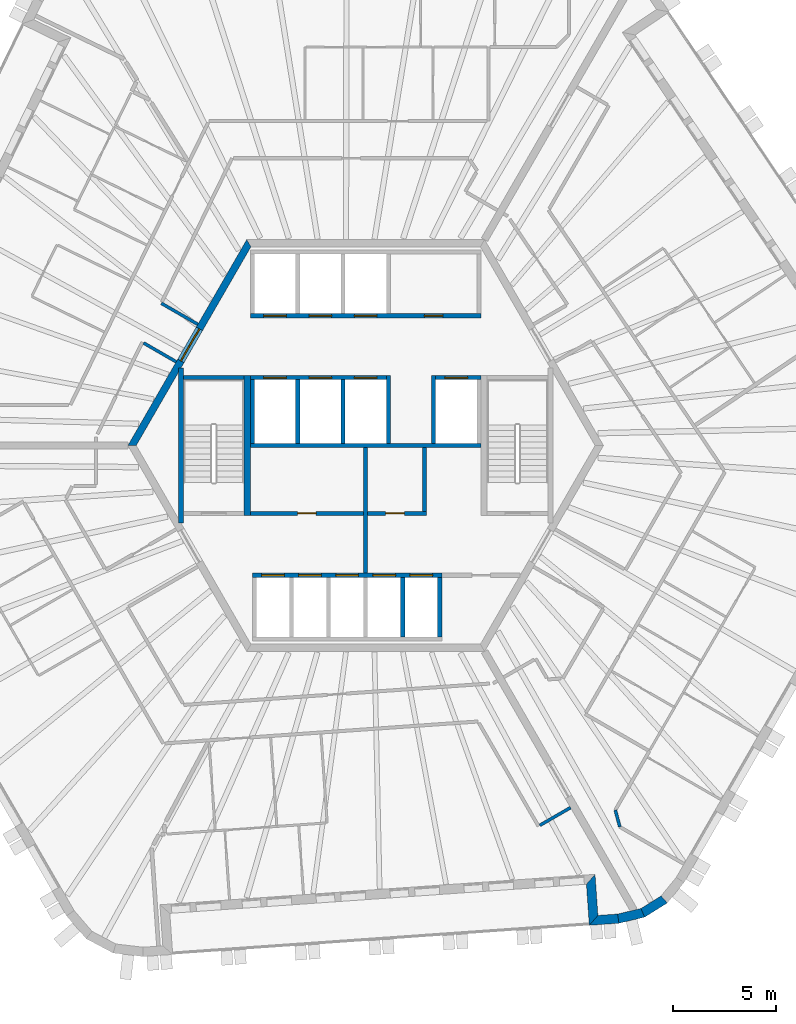
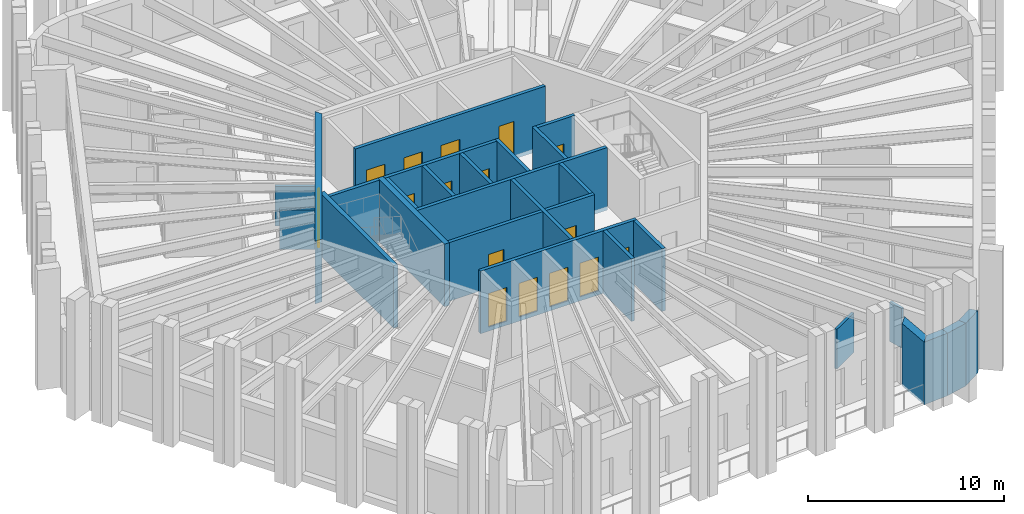
# One storey, part 5 of 12: 28 walls, 16 doors, 16 openings.
"""IFC4 building model written with IfcOpenShell, lengths in metres."""

from ifc_helpers import new_model, si_unit, direction, frame, frame_2d, origin, place, context, subcontext, project, spatial, polyline, rectangle, outline, extrude, material, layer, layer_set, type_object, element, fill, save


model = new_model("IFC4")

# Units and contexts
model_context = context("Model", 3, precision=1e-05, world=origin(), true_north=direction((0.0, 1.0)))
body_context = subcontext(model_context, "Body", "Model", "MODEL_VIEW")
ifc_project = project(units=[si_unit("LENGTHUNIT", "METRE"), si_unit("AREAUNIT", "SQUARE_METRE"), si_unit("VOLUMEUNIT", "CUBIC_METRE"), si_unit("PLANEANGLEUNIT", "RADIAN"), si_unit("MASSUNIT", "GRAM", prefix="KILO")], contexts=[model_context])

# Site, building, storey
site_placement = place(None, origin())
site = spatial("IfcSite", under=ifc_project, at=site_placement, CompositionType="ELEMENT")
building_placement = place(site_placement, origin())
building = spatial("IfcBuilding", under=site, at=building_placement, Name="Tarnside Tower", CompositionType="ELEMENT")
storey_placement = place(building_placement, frame((0.0, 0.0, 369.0)))
storey = spatial("IfcBuildingStorey", under=building, at=storey_placement, Name="L89", CompositionType="ELEMENT", Elevation=369.0)

# Wall, opening, door
ifc_material_1 = material(Name="Concrete C40/50", Category="concrete")
ifc_layer_1 = layer(ifc_material_1, 0.199951171875)
ifc_layer_set_1 = layer_set([ifc_layer_1], Name="Core room partition 200 C40/50")
wall_type_1 = type_object("IfcWallType", Name="Core room partition 200 C40/50", PredefinedType="PARTITIONING", material=ifc_layer_set_1)
wall_1_placement = place(storey_placement, frame((-5.60009765625, -3.300048828125, 0.0), z_axis=(0.0, 0.0, 1.0), x_axis=(1.0, 0.0, 0.0)))
wall_1 = element("IfcWall", 1, at=wall_1_placement, inside=storey, type_object=wall_type_1, Name="L89 core partition W3", PredefinedType="PARTITIONING", context=body_context, shape_type="SweptSolid", body=[
    extrude(rectangle(XDim=5.5, YDim=0.199951171875, at=frame_2d((2.75, 0.0))), origin(), (0.0, 0.0, 1.0), 3.64990234375),
])
opening_1_placement = place(wall_1_placement, frame((2.300048828125, 0.0, 0.0)))
opening_1 = element("IfcOpeningElement", 2, at=opening_1_placement, cuts=wall_1, Name="Opening CD-room", PredefinedType="OPENING", context=body_context, shape_type="SweptSolid", body=[
    extrude(rectangle(XDim=0.89990234375, YDim=2.10009765625, at=frame_2d((0.449951171875, 1.050048828125))), frame((0.0, 0.10986328125, 0.0), z_axis=(0.0, -1.0, 0.0), x_axis=(1.0, 0.0, 0.0)), (0.0, 0.0, 1.0), 0.219970703125),
])
ifc_material_2 = material(Name="Steel fire door", Category="steel")
door_type_1 = type_object("IfcDoorType", Name="Room door FD60 900x2100", OperationType="NOTDEFINED", PredefinedType="DOOR", material=ifc_material_2)
door_1_placement = place(opening_1_placement, origin())
door_1 = element("IfcDoor", 3, at=door_1_placement, inside=storey, type_object=door_type_1, Name="L89 core room door W3D", OperationType="SINGLE_SWING_LEFT", OverallHeight=2.10009765625, OverallWidth=0.89990234375, PredefinedType="DOOR", context=body_context, shape_type="SweptSolid", body=[
    extrude(rectangle(XDim=0.89990234375, YDim=2.10009765625, at=frame_2d((0.449951171875, 1.050048828125))), frame((0.0, 0.02490234375, 0.0), z_axis=(0.0, -1.0, 0.0), x_axis=(1.0, 0.0, 0.0)), (0.0, 0.0, 1.0), 0.050048828125),
])
fill(opening_1, door_1)

wall_2_placement = place(storey_placement, frame((0.10009765625, -3.300048828125, 0.0), z_axis=(0.0, 0.0, 1.0), x_axis=(1.0, 0.0, 0.0)))
wall_2 = element("IfcWall", 4, at=wall_2_placement, inside=storey, type_object=wall_type_1, Name="L89 core partition R3S1", PredefinedType="PARTITIONING", context=body_context, shape_type="SweptSolid", body=[
    extrude(rectangle(XDim=2.849853515625, YDim=0.199951171875, at=frame_2d((1.4248046875, 0.0))), origin(), (0.0, 0.0, 1.0), 3.64990234375),
])
opening_2_placement = place(wall_2_placement, frame((0.875, 0.0, 0.0)))
opening_2 = element("IfcOpeningElement", 5, at=opening_2_placement, cuts=wall_2, Name="Opening CD-room", PredefinedType="OPENING", context=body_context, shape_type="SweptSolid", body=[
    extrude(rectangle(XDim=0.89990234375, YDim=2.10009765625, at=frame_2d((0.449951171875, 1.050048828125))), frame((0.0, 0.10986328125, 0.0), z_axis=(0.0, -1.0, 0.0), x_axis=(1.0, 0.0, 0.0)), (0.0, 0.0, 1.0), 0.219970703125),
])
door_2_placement = place(opening_2_placement, origin())
door_2 = element("IfcDoor", 6, at=door_2_placement, inside=storey, type_object=door_type_1, Name="L89 core room door SR1", OperationType="SINGLE_SWING_LEFT", OverallHeight=2.10009765625, OverallWidth=0.89990234375, PredefinedType="DOOR", context=body_context, shape_type="SweptSolid", body=[
    extrude(rectangle(XDim=0.89990234375, YDim=2.10009765625, at=frame_2d((0.449951171875, 1.050048828125))), frame((0.0, 0.02490234375, 0.0), z_axis=(0.0, -1.0, 0.0), x_axis=(1.0, 0.0, 0.0)), (0.0, 0.0, 1.0), 0.050048828125),
])
fill(opening_2, door_2)

# Walls
wall_3_placement = place(storey_placement, frame((2.85009765625, -3.199951171875, 0.0), z_axis=(0.0, 0.0, 1.0), x_axis=(0.0, 1.0, 0.0)))
element("IfcWall", 7, at=wall_3_placement, inside=storey, type_object=wall_type_1, Name="L89 core partition R3P1b", PredefinedType="PARTITIONING", context=body_context, shape_type="SweptSolid", body=[
    extrude(rectangle(XDim=3.099853515625, YDim=0.199951171875, at=frame_2d((1.5498046875, 0.0))), origin(), (0.0, 0.0, 1.0), 3.64990234375),
])
wall_4_placement = place(storey_placement, frame((0.0, -6.199951171875, 0.0), z_axis=(0.0, 0.0, 1.0), x_axis=(0.0, 1.0, 0.0)))
element("IfcWall", 8, at=wall_4_placement, inside=storey, type_object=wall_type_1, Name="L89 core partition X0", PredefinedType="PARTITIONING", context=body_context, shape_type="SweptSolid", body=[
    extrude(rectangle(XDim=6.099853515625, YDim=0.199951171875, at=frame_2d((3.0498046875, 0.0))), origin(), (0.0, 0.0, 1.0), 3.64990234375),
])

# Wall, opening, door
ifc_material_3 = material(Name="Concrete C50/60", Category="concrete")
ifc_layer_2 = layer(ifc_material_3, 0.35009765625)
ifc_layer_set_2 = layer_set([ifc_layer_2], Name="Core wall Z4 350 C50/60")
wall_type_2 = type_object("IfcWallType", Name="Core wall Z4 350 C50/60", PredefinedType="SHEAR", material=ifc_layer_set_2)
wall_5_placement = place(storey_placement, frame((-5.672607421875, 9.824951171875, -0.14990234375), z_axis=(0.0, 0.0, 1.0), x_axis=(-0.499995046907, -0.866028263435, 0.0)))
wall_5 = element("IfcWall", 9, at=wall_5_placement, inside=storey, type_object=wall_type_2, Name="L89 core wall face 2", PredefinedType="SHEAR", context=body_context, shape_type="SweptSolid", body=[
    extrude(outline(polyline([(-0.10107421875, -0.175048828125), (11.44580078125, -0.175048828125), (11.24365234375, 0.175048828125), (0.10107421875, 0.175048828125), (-0.10107421875, -0.175048828125)])), origin(), (0.0, 0.0, 1.0), 3.89990234375),
])
opening_3_placement = place(wall_5_placement, frame((4.80126953125, 0.0, 0.14990234375)))
opening_3 = element("IfcOpeningElement", 10, at=opening_3_placement, cuts=wall_5, Name="Opening CD-LOB", PredefinedType="OPENING", context=body_context, shape_type="SweptSolid", body=[
    extrude(rectangle(XDim=1.800048828125, YDim=2.39990234375, at=frame_2d((0.89990234375, 1.199951171875))), frame((0.0, 0.18505859375, 0.0), z_axis=(0.0, -1.0, 0.0), x_axis=(1.0, 0.0, 0.0)), (0.0, 0.0, 1.0), 0.3701171875),
])
door_type_2 = type_object("IfcDoorType", Name="Lobby double door FD30S 1800x2400", OperationType="NOTDEFINED", PredefinedType="DOOR", material=ifc_material_2)
door_3_placement = place(opening_3_placement, origin())
door_3 = element("IfcDoor", 11, at=door_3_placement, inside=storey, type_object=door_type_2, Name="L89 core door P1", OperationType="DOUBLE_DOOR_SINGLE_SWING", OverallHeight=2.39990234375, OverallWidth=1.800048828125, PredefinedType="DOOR", context=body_context, shape_type="SweptSolid", body=[
    extrude(rectangle(XDim=1.800048828125, YDim=2.39990234375, at=frame_2d((0.89990234375, 1.199951171875))), frame((0.0, 0.02490234375, 0.0), z_axis=(0.0, -1.0, 0.0), x_axis=(1.0, 0.0, 0.0)), (0.0, 0.0, 1.0), 0.050048828125),
])
fill(opening_3, door_3)

# Walls
ifc_material_4 = material(Name="Gypsum board partition on steel studs", Category="steel")
ifc_layer_3 = layer(ifc_material_4, 0.14990234375)
ifc_layer_set_3 = layer_set([ifc_layer_3], Name="Corridor wall 150 EI 60")
wall_type_3 = type_object("IfcWallType", Name="Corridor wall 150 EI 60", PredefinedType="PARTITIONING", material=ifc_layer_set_3)
wall_6_placement = place(storey_placement, frame((-8.149658203125, 5.88427734375, 0.0), z_axis=(0.0, 0.0, 1.0), x_axis=(-0.866007146345, 0.50003162148, 0.0)))
element("IfcWall", 12, at=wall_6_placement, inside=storey, type_object=wall_type_3, Name="Corridor wall 29018", PredefinedType="PARTITIONING", context=body_context, shape_type="SweptSolid", body=[
    extrude(rectangle(XDim=2.050537109375, YDim=0.14990234375, at=frame_2d((1.025390625, 0.0))), origin(), (0.0, 0.0, 1.0), 2.469970703125),
])
wall_7_placement = place(storey_placement, frame((-10.783203125, 4.97998046875, 0.0), z_axis=(0.0, 0.0, 1.0), x_axis=(0.866007702746, -0.500030657845, 0.0)))
element("IfcWall", 13, at=wall_7_placement, inside=storey, type_object=wall_type_3, Name="Corridor wall 29026", PredefinedType="PARTITIONING", context=body_context, shape_type="SweptSolid", body=[
    extrude(rectangle(XDim=1.82861328125, YDim=0.14990234375, at=frame_2d((0.914306640625, 0.0))), origin(), (0.0, 0.0, 1.0), 2.469970703125),
])
wall_8_placement = place(storey_placement, frame((8.455810546875, -18.44580078125, 0.0), z_axis=(0.0, 0.0, 1.0), x_axis=(0.866013532718, 0.500020560727, 0.0)))
element("IfcWall", 14, at=wall_8_placement, inside=storey, type_object=wall_type_3, Name="Corridor wall 29039", PredefinedType="PARTITIONING", context=body_context, shape_type="SweptSolid", body=[
    extrude(rectangle(XDim=1.72509765625, YDim=0.14990234375, at=frame_2d((0.862548828125, 0.0))), origin(), (0.0, 0.0, 1.0), 2.469970703125),
])
wall_9_placement = place(storey_placement, frame((12.3427734375, -18.5205078125, 0.0), z_axis=(0.0, 0.0, 1.0), x_axis=(-0.258846545656, 0.965918457118, 0.0)))
element("IfcWall", 15, at=wall_9_placement, inside=storey, type_object=wall_type_3, Name="Corridor wall 29057", PredefinedType="PARTITIONING", context=body_context, shape_type="SweptSolid", body=[
    extrude(rectangle(XDim=0.846923828125, YDim=0.14990234375, at=frame_2d((0.42333984375, 0.0))), origin(), (0.0, 0.0, 1.0), 2.469970703125),
])

# Wall, openings, doors
ifc_layer_4 = layer(ifc_material_1, 0.199951171875)
ifc_layer_set_4 = layer_set([ifc_layer_4], Name="Lift shaft wall 200 C40/50")
wall_type_4 = type_object("IfcWallType", Name="Lift shaft wall 200 C40/50", PredefinedType="SHEAR", material=ifc_layer_set_4)
wall_10_placement = place(storey_placement, frame((-5.60009765625, 6.300048828125, -0.25), z_axis=(0.0, 0.0, 1.0), x_axis=(1.0, 0.0, 0.0)))
wall_10 = element("IfcWall", 16, at=wall_10_placement, inside=storey, type_object=wall_type_4, Name="L89 lift shaft front wall R1", PredefinedType="SHEAR", context=body_context, shape_type="SweptSolid", body=[
    extrude(rectangle(XDim=11.2001953125, YDim=0.199951171875, at=frame_2d((5.60009765625, 0.0))), origin(), (0.0, 0.0, 1.0), 3.89990234375),
])
opening_4_placement = place(wall_10_placement, frame((8.449951171875, 0.0, 0.25)))
opening_4 = element("IfcOpeningElement", 17, at=opening_4_placement, cuts=wall_10, Name="Opening CD-room", PredefinedType="OPENING", context=body_context, shape_type="SweptSolid", body=[
    extrude(rectangle(XDim=0.89990234375, YDim=2.10009765625, at=frame_2d((0.449951171875, 1.050048828125))), frame((0.0, 0.10986328125, 0.0), z_axis=(0.0, -1.0, 0.0), x_axis=(1.0, 0.0, 0.0)), (0.0, 0.0, 1.0), 0.219970703125),
])
opening_5_placement = place(wall_10_placement, frame((0.64990234375, 0.0, 0.25)))
opening_5 = element("IfcOpeningElement", 18, at=opening_5_placement, cuts=wall_10, Name="Opening LD", PredefinedType="OPENING", context=body_context, shape_type="SweptSolid", body=[
    extrude(rectangle(XDim=1.10009765625, YDim=2.10009765625, at=frame_2d((0.550048828125, 1.050048828125))), frame((0.0, 0.10986328125, 0.0), z_axis=(0.0, -1.0, 0.0), x_axis=(1.0, 0.0, 0.0)), (0.0, 0.0, 1.0), 0.219970703125),
])
opening_6_placement = place(wall_10_placement, frame((2.85009765625, 0.0, 0.25)))
opening_6 = element("IfcOpeningElement", 19, at=opening_6_placement, cuts=wall_10, Name="Opening LD", PredefinedType="OPENING", context=body_context, shape_type="SweptSolid", body=[
    extrude(rectangle(XDim=1.10009765625, YDim=2.10009765625, at=frame_2d((0.550048828125, 1.050048828125))), frame((0.0, 0.10986328125, 0.0), z_axis=(0.0, -1.0, 0.0), x_axis=(1.0, 0.0, 0.0)), (0.0, 0.0, 1.0), 0.219970703125),
])
opening_7_placement = place(wall_10_placement, frame((5.050048828125, 0.0, 0.25)))
opening_7 = element("IfcOpeningElement", 20, at=opening_7_placement, cuts=wall_10, Name="Opening LD", PredefinedType="OPENING", context=body_context, shape_type="SweptSolid", body=[
    extrude(rectangle(XDim=1.10009765625, YDim=2.10009765625, at=frame_2d((0.550048828125, 1.050048828125))), frame((0.0, 0.10986328125, 0.0), z_axis=(0.0, -1.0, 0.0), x_axis=(1.0, 0.0, 0.0)), (0.0, 0.0, 1.0), 0.219970703125),
])
ifc_material_5 = material(Name="Stainless steel", Category="steel")
door_type_3 = type_object("IfcDoorType", Name="Lift landing door 1100x2100", OperationType="NOTDEFINED", PredefinedType="DOOR", material=ifc_material_5)
door_4_placement = place(opening_5_placement, origin())
door_4 = element("IfcDoor", 21, at=door_4_placement, inside=storey, type_object=door_type_3, Name="High-rise lift 1 landing door L89", OperationType="SLIDING_TO_LEFT", OverallHeight=2.10009765625, OverallWidth=1.10009765625, PredefinedType="DOOR", context=body_context, shape_type="SweptSolid", body=[
    extrude(rectangle(XDim=1.10009765625, YDim=2.10009765625, at=frame_2d((0.550048828125, 1.050048828125))), frame((0.0, 0.02490234375, 0.0), z_axis=(0.0, -1.0, 0.0), x_axis=(1.0, 0.0, 0.0)), (0.0, 0.0, 1.0), 0.050048828125),
])
fill(opening_5, door_4)
door_5_placement = place(opening_6_placement, origin())
door_5 = element("IfcDoor", 22, at=door_5_placement, inside=storey, type_object=door_type_3, Name="High-rise lift 2 landing door L89", OperationType="SLIDING_TO_LEFT", OverallHeight=2.10009765625, OverallWidth=1.10009765625, PredefinedType="DOOR", context=body_context, shape_type="SweptSolid", body=[
    extrude(rectangle(XDim=1.10009765625, YDim=2.10009765625, at=frame_2d((0.550048828125, 1.050048828125))), frame((0.0, 0.02490234375, 0.0), z_axis=(0.0, -1.0, 0.0), x_axis=(1.0, 0.0, 0.0)), (0.0, 0.0, 1.0), 0.050048828125),
])
fill(opening_6, door_5)
door_6_placement = place(opening_7_placement, origin())
door_6 = element("IfcDoor", 23, at=door_6_placement, inside=storey, type_object=door_type_3, Name="High-rise lift 3 landing door L89", OperationType="SLIDING_TO_LEFT", OverallHeight=2.10009765625, OverallWidth=1.10009765625, PredefinedType="DOOR", context=body_context, shape_type="SweptSolid", body=[
    extrude(rectangle(XDim=1.10009765625, YDim=2.10009765625, at=frame_2d((0.550048828125, 1.050048828125))), frame((0.0, 0.02490234375, 0.0), z_axis=(0.0, -1.0, 0.0), x_axis=(1.0, 0.0, 0.0)), (0.0, 0.0, 1.0), 0.050048828125),
])
fill(opening_7, door_6)
door_7_placement = place(opening_4_placement, origin())
door_7 = element("IfcDoor", 24, at=door_7_placement, inside=storey, type_object=door_type_1, Name="L89 core room door FC1", OperationType="SINGLE_SWING_LEFT", OverallHeight=2.10009765625, OverallWidth=0.89990234375, PredefinedType="DOOR", context=body_context, shape_type="SweptSolid", body=[
    extrude(rectangle(XDim=0.89990234375, YDim=2.10009765625, at=frame_2d((0.449951171875, 1.050048828125))), frame((0.0, 0.02490234375, 0.0), z_axis=(0.0, -1.0, 0.0), x_axis=(1.0, 0.0, 0.0)), (0.0, 0.0, 1.0), 0.050048828125),
])
fill(opening_4, door_7)

wall_11_placement = place(storey_placement, frame((-5.60009765625, 3.300048828125, -0.25), z_axis=(0.0, 0.0, 1.0), x_axis=(1.0, 0.0, 0.0)))
wall_11 = element("IfcWall", 25, at=wall_11_placement, inside=storey, type_object=wall_type_4, Name="L89 lift shaft front wall R2", PredefinedType="SHEAR", context=body_context, shape_type="SweptSolid", body=[
    extrude(rectangle(XDim=6.60009765625, YDim=0.199951171875, at=frame_2d((3.300048828125, 0.0))), origin(), (0.0, 0.0, 1.0), 3.89990234375),
])
opening_8_placement = place(wall_11_placement, frame((0.64990234375, 0.0, 0.25)))
opening_8 = element("IfcOpeningElement", 26, at=opening_8_placement, cuts=wall_11, Name="Opening LD", PredefinedType="OPENING", context=body_context, shape_type="SweptSolid", body=[
    extrude(rectangle(XDim=1.10009765625, YDim=2.10009765625, at=frame_2d((0.550048828125, 1.050048828125))), frame((0.0, 0.10986328125, 0.0), z_axis=(0.0, -1.0, 0.0), x_axis=(1.0, 0.0, 0.0)), (0.0, 0.0, 1.0), 0.219970703125),
])
opening_9_placement = place(wall_11_placement, frame((2.85009765625, 0.0, 0.25)))
opening_9 = element("IfcOpeningElement", 27, at=opening_9_placement, cuts=wall_11, Name="Opening LD", PredefinedType="OPENING", context=body_context, shape_type="SweptSolid", body=[
    extrude(rectangle(XDim=1.10009765625, YDim=2.10009765625, at=frame_2d((0.550048828125, 1.050048828125))), frame((0.0, 0.10986328125, 0.0), z_axis=(0.0, -1.0, 0.0), x_axis=(1.0, 0.0, 0.0)), (0.0, 0.0, 1.0), 0.219970703125),
])
opening_10_placement = place(wall_11_placement, frame((5.050048828125, 0.0, 0.25)))
opening_10 = element("IfcOpeningElement", 28, at=opening_10_placement, cuts=wall_11, Name="Opening LD", PredefinedType="OPENING", context=body_context, shape_type="SweptSolid", body=[
    extrude(rectangle(XDim=1.10009765625, YDim=2.10009765625, at=frame_2d((0.550048828125, 1.050048828125))), frame((0.0, 0.10986328125, 0.0), z_axis=(0.0, -1.0, 0.0), x_axis=(1.0, 0.0, 0.0)), (0.0, 0.0, 1.0), 0.219970703125),
])
door_8_placement = place(opening_8_placement, origin())
door_8 = element("IfcDoor", 29, at=door_8_placement, inside=storey, type_object=door_type_3, Name="High-rise lift 4 landing door L89", OperationType="SLIDING_TO_LEFT", OverallHeight=2.10009765625, OverallWidth=1.10009765625, PredefinedType="DOOR", context=body_context, shape_type="SweptSolid", body=[
    extrude(rectangle(XDim=1.10009765625, YDim=2.10009765625, at=frame_2d((0.550048828125, 1.050048828125))), frame((0.0, 0.02490234375, 0.0), z_axis=(0.0, -1.0, 0.0), x_axis=(1.0, 0.0, 0.0)), (0.0, 0.0, 1.0), 0.050048828125),
])
fill(opening_8, door_8)
door_9_placement = place(opening_9_placement, origin())
door_9 = element("IfcDoor", 30, at=door_9_placement, inside=storey, type_object=door_type_3, Name="High-rise lift 5 landing door L89", OperationType="SLIDING_TO_LEFT", OverallHeight=2.10009765625, OverallWidth=1.10009765625, PredefinedType="DOOR", context=body_context, shape_type="SweptSolid", body=[
    extrude(rectangle(XDim=1.10009765625, YDim=2.10009765625, at=frame_2d((0.550048828125, 1.050048828125))), frame((0.0, 0.02490234375, 0.0), z_axis=(0.0, -1.0, 0.0), x_axis=(1.0, 0.0, 0.0)), (0.0, 0.0, 1.0), 0.050048828125),
])
fill(opening_9, door_9)
door_10_placement = place(opening_10_placement, origin())
door_10 = element("IfcDoor", 31, at=door_10_placement, inside=storey, type_object=door_type_3, Name="High-rise lift 6 landing door L89", OperationType="SLIDING_TO_LEFT", OverallHeight=2.10009765625, OverallWidth=1.10009765625, PredefinedType="DOOR", context=body_context, shape_type="SweptSolid", body=[
    extrude(rectangle(XDim=1.10009765625, YDim=2.10009765625, at=frame_2d((0.550048828125, 1.050048828125))), frame((0.0, 0.02490234375, 0.0), z_axis=(0.0, -1.0, 0.0), x_axis=(1.0, 0.0, 0.0)), (0.0, 0.0, 1.0), 0.050048828125),
])
fill(opening_10, door_10)

# Wall, opening, door
wall_12_placement = place(storey_placement, frame((3.39990234375, 3.300048828125, -0.25), z_axis=(0.0, 0.0, 1.0), x_axis=(1.0, 0.0, 0.0)))
wall_12 = element("IfcWall", 32, at=wall_12_placement, inside=storey, type_object=wall_type_4, Name="L89 lift shaft front wall R2 2", PredefinedType="SHEAR", context=body_context, shape_type="SweptSolid", body=[
    extrude(rectangle(XDim=2.2001953125, YDim=0.199951171875, at=frame_2d((1.10009765625, 0.0))), origin(), (0.0, 0.0, 1.0), 3.89990234375),
])
opening_11_placement = place(wall_12_placement, frame((0.449951171875, 0.0, 0.25)))
opening_11 = element("IfcOpeningElement", 33, at=opening_11_placement, cuts=wall_12, Name="Opening LD", PredefinedType="OPENING", context=body_context, shape_type="SweptSolid", body=[
    extrude(rectangle(XDim=1.10009765625, YDim=2.10009765625, at=frame_2d((0.550048828125, 1.050048828125))), frame((0.0, 0.10986328125, 0.0), z_axis=(0.0, -1.0, 0.0), x_axis=(1.0, 0.0, 0.0)), (0.0, 0.0, 1.0), 0.219970703125),
])
door_11_placement = place(opening_11_placement, origin())
door_11 = element("IfcDoor", 34, at=door_11_placement, inside=storey, type_object=door_type_3, Name="Express sky-lobby shuttle 2 landing door L89", OperationType="SLIDING_TO_LEFT", OverallHeight=2.10009765625, OverallWidth=1.10009765625, PredefinedType="DOOR", context=body_context, shape_type="SweptSolid", body=[
    extrude(rectangle(XDim=1.10009765625, YDim=2.10009765625, at=frame_2d((0.550048828125, 1.050048828125))), frame((0.0, 0.02490234375, 0.0), z_axis=(0.0, -1.0, 0.0), x_axis=(1.0, 0.0, 0.0)), (0.0, 0.0, 1.0), 0.050048828125),
])
fill(opening_11, door_11)

# Walls
wall_13_placement = place(storey_placement, frame((-5.60009765625, 0.0, -0.25), z_axis=(0.0, 0.0, 1.0), x_axis=(1.0, 0.0, 0.0)))
element("IfcWall", 35, at=wall_13_placement, inside=storey, type_object=wall_type_4, Name="L89 lift shaft back wall R2", PredefinedType="SHEAR", context=body_context, shape_type="SweptSolid", body=[
    extrude(rectangle(XDim=11.2001953125, YDim=0.199951171875, at=frame_2d((5.60009765625, 0.0))), origin(), (0.0, 0.0, 1.0), 3.89990234375),
])
for number, where, z_axis, x_axis, name in (
    (36, (-5.5, 0.10009765625, -0.25), (0.0, 0.0, 1.0), (0.0, 1.0, 0.0), "L89 lift shaft partition R21"),
    (37, (-3.300048828125, 0.10009765625, -0.25), (0.0, 0.0, 1.0), (0.0, 1.0, 0.0), "L89 lift shaft partition R22"),
    (38, (-1.10009765625, 0.10009765625, -0.25), (0.0, 0.0, 1.0), (0.0, 1.0, 0.0), "L89 lift shaft partition R23"),
):
    element("IfcWall", number, at=place(storey_placement, frame(where, z_axis=z_axis, x_axis=x_axis)), inside=storey, type_object=wall_type_4, Name=name, PredefinedType="SHEAR", context=body_context, shape_type="SweptSolid", body=[
        extrude(rectangle(XDim=3.099853515625, YDim=0.199951171875, at=frame_2d((1.5498046875, 0.0))), origin(), (0.0, 0.0, 1.0), 3.89990234375),
    ])
for number, where, z_axis, x_axis, name in (
    (39, (1.10009765625, 0.10009765625, -0.25), (0.0, 0.0, 1.0), (0.0, 1.0, 0.0), "L89 lift shaft partition R24"),
    (40, (3.300048828125, 0.10009765625, -0.25), (0.0, 0.0, 1.0), (0.0, 1.0, 0.0), "L89 lift shaft partition R25"),
):
    element("IfcWall", number, at=place(storey_placement, frame(where, z_axis=z_axis, x_axis=x_axis)), inside=storey, type_object=wall_type_4, Name=name, PredefinedType="SHEAR", context=body_context, shape_type="SweptSolid", body=[
        extrude(rectangle(XDim=3.2998046875, YDim=0.199951171875, at=frame_2d((1.64990234375, 0.0))), origin(), (0.0, 0.0, 1.0), 3.89990234375),
    ])

# Wall, openings, doors
wall_14_placement = place(storey_placement, frame((-5.5, -6.300048828125, -0.25), z_axis=(0.0, 0.0, 1.0), x_axis=(1.0, 0.0, 0.0)))
wall_14 = element("IfcWall", 41, at=wall_14_placement, inside=storey, type_object=wall_type_4, Name="L89 lift shaft front wall R4", PredefinedType="SHEAR", context=body_context, shape_type="SweptSolid", body=[
    extrude(rectangle(XDim=9.199951171875, YDim=0.199951171875, at=frame_2d((4.60009765625, 0.0))), origin(), (0.0, 0.0, 1.0), 3.89990234375),
])
opening_12_placement = place(wall_14_placement, frame((0.449951171875, 0.0, 0.25)))
opening_12 = element("IfcOpeningElement", 42, at=opening_12_placement, cuts=wall_14, Name="Opening LDF", PredefinedType="OPENING", context=body_context, shape_type="SweptSolid", body=[
    extrude(rectangle(XDim=1.10009765625, YDim=2.10009765625, at=frame_2d((0.550048828125, 1.050048828125))), frame((0.0, 0.10986328125, 0.0), z_axis=(0.0, -1.0, 0.0), x_axis=(1.0, 0.0, 0.0)), (0.0, 0.0, 1.0), 0.219970703125),
])
opening_13_placement = place(wall_14_placement, frame((2.25, 0.0, 0.25)))
opening_13 = element("IfcOpeningElement", 43, at=opening_13_placement, cuts=wall_14, Name="Opening LDF", PredefinedType="OPENING", context=body_context, shape_type="SweptSolid", body=[
    extrude(rectangle(XDim=1.10009765625, YDim=2.10009765625, at=frame_2d((0.550048828125, 1.050048828125))), frame((0.0, 0.10986328125, 0.0), z_axis=(0.0, -1.0, 0.0), x_axis=(1.0, 0.0, 0.0)), (0.0, 0.0, 1.0), 0.219970703125),
])
opening_14_placement = place(wall_14_placement, frame((4.050048828125, 0.0, 0.25)))
opening_14 = element("IfcOpeningElement", 44, at=opening_14_placement, cuts=wall_14, Name="Opening LDF", PredefinedType="OPENING", context=body_context, shape_type="SweptSolid", body=[
    extrude(rectangle(XDim=1.10009765625, YDim=2.10009765625, at=frame_2d((0.550048828125, 1.050048828125))), frame((0.0, 0.10986328125, 0.0), z_axis=(0.0, -1.0, 0.0), x_axis=(1.0, 0.0, 0.0)), (0.0, 0.0, 1.0), 0.219970703125),
])
opening_15_placement = place(wall_14_placement, frame((5.85009765625, 0.0, 0.25)))
opening_15 = element("IfcOpeningElement", 45, at=opening_15_placement, cuts=wall_14, Name="Opening LDF", PredefinedType="OPENING", context=body_context, shape_type="SweptSolid", body=[
    extrude(rectangle(XDim=1.10009765625, YDim=2.10009765625, at=frame_2d((0.550048828125, 1.050048828125))), frame((0.0, 0.10986328125, 0.0), z_axis=(0.0, -1.0, 0.0), x_axis=(1.0, 0.0, 0.0)), (0.0, 0.0, 1.0), 0.219970703125),
])
opening_16_placement = place(wall_14_placement, frame((7.64990234375, 0.0, 0.25)))
opening_16 = element("IfcOpeningElement", 46, at=opening_16_placement, cuts=wall_14, Name="Opening LDF", PredefinedType="OPENING", context=body_context, shape_type="SweptSolid", body=[
    extrude(rectangle(XDim=1.10009765625, YDim=2.10009765625, at=frame_2d((0.550048828125, 1.050048828125))), frame((0.0, 0.10986328125, 0.0), z_axis=(0.0, -1.0, 0.0), x_axis=(1.0, 0.0, 0.0)), (0.0, 0.0, 1.0), 0.219970703125),
])
door_type_4 = type_object("IfcDoorType", Name="Lift landing door 1100x2100 EI 120", OperationType="NOTDEFINED", PredefinedType="DOOR", material=ifc_material_5)
door_12_placement = place(opening_12_placement, origin())
door_12 = element("IfcDoor", 47, at=door_12_placement, inside=storey, type_object=door_type_4, Name="Firefighting lift 1 landing door L89", OperationType="SLIDING_TO_LEFT", OverallHeight=2.10009765625, OverallWidth=1.10009765625, PredefinedType="DOOR", context=body_context, shape_type="SweptSolid", body=[
    extrude(rectangle(XDim=1.10009765625, YDim=2.10009765625, at=frame_2d((0.550048828125, 1.050048828125))), frame((0.0, 0.02490234375, 0.0), z_axis=(0.0, -1.0, 0.0), x_axis=(1.0, 0.0, 0.0)), (0.0, 0.0, 1.0), 0.050048828125),
])
fill(opening_12, door_12)
door_13_placement = place(opening_13_placement, origin())
door_13 = element("IfcDoor", 48, at=door_13_placement, inside=storey, type_object=door_type_4, Name="Firefighting lift 2 landing door L89", OperationType="SLIDING_TO_LEFT", OverallHeight=2.10009765625, OverallWidth=1.10009765625, PredefinedType="DOOR", context=body_context, shape_type="SweptSolid", body=[
    extrude(rectangle(XDim=1.10009765625, YDim=2.10009765625, at=frame_2d((0.550048828125, 1.050048828125))), frame((0.0, 0.02490234375, 0.0), z_axis=(0.0, -1.0, 0.0), x_axis=(1.0, 0.0, 0.0)), (0.0, 0.0, 1.0), 0.050048828125),
])
fill(opening_13, door_13)
door_14_placement = place(opening_14_placement, origin())
door_14 = element("IfcDoor", 49, at=door_14_placement, inside=storey, type_object=door_type_4, Name="Firefighting lift 3 landing door L89", OperationType="SLIDING_TO_LEFT", OverallHeight=2.10009765625, OverallWidth=1.10009765625, PredefinedType="DOOR", context=body_context, shape_type="SweptSolid", body=[
    extrude(rectangle(XDim=1.10009765625, YDim=2.10009765625, at=frame_2d((0.550048828125, 1.050048828125))), frame((0.0, 0.02490234375, 0.0), z_axis=(0.0, -1.0, 0.0), x_axis=(1.0, 0.0, 0.0)), (0.0, 0.0, 1.0), 0.050048828125),
])
fill(opening_14, door_14)
door_15_placement = place(opening_15_placement, origin())
door_15 = element("IfcDoor", 50, at=door_15_placement, inside=storey, type_object=door_type_4, Name="Firefighting lift 4 landing door L89", OperationType="SLIDING_TO_LEFT", OverallHeight=2.10009765625, OverallWidth=1.10009765625, PredefinedType="DOOR", context=body_context, shape_type="SweptSolid", body=[
    extrude(rectangle(XDim=1.10009765625, YDim=2.10009765625, at=frame_2d((0.550048828125, 1.050048828125))), frame((0.0, 0.02490234375, 0.0), z_axis=(0.0, -1.0, 0.0), x_axis=(1.0, 0.0, 0.0)), (0.0, 0.0, 1.0), 0.050048828125),
])
fill(opening_15, door_15)
door_16_placement = place(opening_16_placement, origin())
door_16 = element("IfcDoor", 51, at=door_16_placement, inside=storey, type_object=door_type_4, Name="Firefighting lift 5 landing door L89", OperationType="SLIDING_TO_LEFT", OverallHeight=2.10009765625, OverallWidth=1.10009765625, PredefinedType="DOOR", context=body_context, shape_type="SweptSolid", body=[
    extrude(rectangle(XDim=1.10009765625, YDim=2.10009765625, at=frame_2d((0.550048828125, 1.050048828125))), frame((0.0, 0.02490234375, 0.0), z_axis=(0.0, -1.0, 0.0), x_axis=(1.0, 0.0, 0.0)), (0.0, 0.0, 1.0), 0.050048828125),
])
fill(opening_16, door_16)

# Walls
for number, where, z_axis, x_axis, name in (
    (52, (1.800048828125, -9.300048828125, -0.25), (0.0, 0.0, 1.0), (0.0, 1.0, 0.0), "L89 lift shaft partition R45"),
    (53, (3.60009765625, -9.300048828125, -0.25), (0.0, 0.0, 1.0), (0.0, 1.0, 0.0), "L89 lift shaft partition R46"),
):
    element("IfcWall", number, at=place(storey_placement, frame(where, z_axis=z_axis, x_axis=x_axis)), inside=storey, type_object=wall_type_4, Name=name, PredefinedType="SHEAR", context=body_context, shape_type="SweptSolid", body=[
        extrude(rectangle(XDim=2.900146484375, YDim=0.199951171875, at=frame_2d((1.4501953125, 0.0))), origin(), (0.0, 0.0, 1.0), 3.89990234375),
    ])
wall_15_placement = place(storey_placement, frame((-8.85009765625, 3.300048828125, -0.25), z_axis=(0.0, 0.0, 1.0), x_axis=(1.0, 0.0, 0.0)))
element("IfcWall", 54, at=wall_15_placement, inside=storey, type_object=wall_type_4, Name="L89 stair 2 enclosure cap wall n", PredefinedType="SHEAR", context=body_context, shape_type="SweptSolid", body=[
    extrude(rectangle(XDim=2.9501953125, YDim=0.199951171875, at=frame_2d((1.47509765625, 0.0))), origin(), (0.0, 0.0, 1.0), 3.89990234375),
])
ifc_material_6 = material(Name="Dark zinc cladding")
ifc_layer_5 = layer(ifc_material_6, 0.10205078125)
ifc_material_7 = material(Name="Concrete C60/75 precast", Category="concrete")
ifc_layer_6 = layer(ifc_material_7, 0.248046875)
ifc_material_8 = material(Name="Mineral wool insulation")
ifc_layer_7 = layer(ifc_material_8, 0.10009765625)
ifc_layer_set_5 = layer_set([ifc_layer_5, ifc_layer_6, ifc_layer_7], Name="Loggia wall 450 zinc faced")
wall_type_5 = type_object("IfcWallType", Name="Loggia wall 450 zinc faced", PredefinedType="SOLIDWALL", material=ifc_layer_set_5)
wall_16_placement = place(storey_placement, frame((10.93017578125, -21.06396484375, -0.14990234375), z_axis=(0.0, 0.0, 1.0), x_axis=(0.069702791886, -0.99756780261, 0.0)))
element("IfcWall", 55, at=wall_16_placement, inside=storey, type_object=wall_type_5, Name="Tube wall L89 F4 return 19", PredefinedType="SOLIDWALL", context=body_context, shape_type="SweptSolid", body=[
    extrude(outline(polyline([(0.224853515625, -0.22509765625), (2.22509765625, -0.22509765625), (1.77490234375, 0.22509765625), (-0.224853515625, 0.22509765625), (0.224853515625, -0.22509765625)])), origin(), (0.0, 0.0, 1.0), 3.89990234375),
])
wall_17_placement = place(storey_placement, frame((11.069580078125, -23.05908203125, -0.14990234375), z_axis=(0.0, 0.0, 1.0), x_axis=(0.997562933087, 0.069772448216, 0.0)))
element("IfcWall", 56, at=wall_17_placement, inside=storey, type_object=wall_type_5, Name="Tube wall L89 F4 stub 20", PredefinedType="SOLIDWALL", context=body_context, shape_type="SweptSolid", body=[
    extrude(outline(polyline([(-0.224853515625, -0.22509765625), (1.218505859375, -0.22509765625), (1.181884765625, 0.22509765625), (0.224853515625, 0.22509765625), (-0.224853515625, -0.22509765625)])), origin(), (0.0, 0.0, 1.0), 3.89990234375),
])
ifc_layer_8 = layer(ifc_material_1, 0.25)
ifc_layer_set_6 = layer_set([ifc_layer_8], Name="Stair enclosure wall 250 C40/50")
wall_type_6 = type_object("IfcWallType", Name="Stair enclosure wall 250 C40/50", PredefinedType="SHEAR", material=ifc_layer_set_6)
wall_18_placement = place(storey_placement, frame((-8.97509765625, -3.7548828125, -0.25), z_axis=(0.0, 0.0, 1.0), x_axis=(0.0, 1.0, 0.0)))
element("IfcWall", 57, at=wall_18_placement, inside=storey, type_object=wall_type_6, Name="L89 stair 2 enclosure wall outer", PredefinedType="SHEAR", context=body_context, shape_type="SweptSolid", body=[
    extrude(rectangle(XDim=7.509765625, YDim=0.25, at=frame_2d((3.7548828125, 0.0))), origin(), (0.0, 0.0, 1.0), 3.89990234375),
])
ifc_layer_9 = layer(ifc_material_1, 0.300048828125)
ifc_layer_set_7 = layer_set([ifc_layer_9], Name="Stair enclosure wall 300 C40/50")
wall_type_7 = type_object("IfcWallType", Name="Stair enclosure wall 300 C40/50", PredefinedType="SHEAR", material=ifc_layer_set_7)
wall_19_placement = place(storey_placement, frame((-5.75, -3.39990234375, -0.25), z_axis=(0.0, 0.0, 1.0), x_axis=(0.0, 1.0, 0.0)))
element("IfcWall", 58, at=wall_19_placement, inside=storey, type_object=wall_type_7, Name="L89 stair 2 enclosure wall inner", PredefinedType="SHEAR", context=body_context, shape_type="SweptSolid", body=[
    extrude(rectangle(XDim=6.7998046875, YDim=0.300048828125, at=frame_2d((3.39990234375, 0.0))), origin(), (0.0, 0.0, 1.0), 3.89990234375),
])
ifc_material_9 = material(Name="Facing brick", Category="masonry")
ifc_layer_10 = layer(ifc_material_9, 0.10205078125)
ifc_layer_11 = layer(ifc_material_7, 0.248046875)
ifc_layer_12 = layer(ifc_material_8, 0.10009765625)
ifc_layer_set_8 = layer_set([ifc_layer_10, ifc_layer_11, ifc_layer_12], Name="Tube wall 450 brick faced")
wall_type_8 = type_object("IfcWallType", Name="Tube wall 450 brick faced", PredefinedType="SOLIDWALL", material=ifc_layer_set_8)
wall_20_placement = place(storey_placement, frame((12.266845703125, -22.975341796875, -0.14990234375), z_axis=(0.0, 0.0, 1.0), x_axis=(0.973026131006, 0.230694924913, 0.0)))
element("IfcWall", 59, at=wall_20_placement, inside=storey, type_object=wall_type_8, Name="Tube wall L89 F4 chord 21", PredefinedType="SOLIDWALL", context=body_context, shape_type="SweptSolid", body=[
    extrude(outline(polyline([(-0.018310546875, -0.22509765625), (1.26123046875, -0.22509765625), (1.1875, 0.22509765625), (0.018310546875, 0.22509765625), (-0.018310546875, -0.22509765625)])), origin(), (0.0, 0.0, 1.0), 3.89990234375),
])
wall_21_placement = place(storey_placement, frame((13.458251953125, -22.69287109375, -0.14990234375), z_axis=(0.0, 0.0, 1.0), x_axis=(0.848009505552, 0.529981017107, 0.0)))
element("IfcWall", 60, at=wall_21_placement, inside=storey, type_object=wall_type_8, Name="Tube wall L89 F4 chord 22", PredefinedType="SOLIDWALL", context=body_context, shape_type="SweptSolid", body=[
    extrude(outline(polyline([(-0.036865234375, -0.22509765625), (1.26123046875, -0.22509765625), (1.1875, 0.22509765625), (0.036865234375, 0.22509765625), (-0.036865234375, -0.22509765625)])), origin(), (0.0, 0.0, 1.0), 3.89990234375),
])

save(model, "model.ifc")
